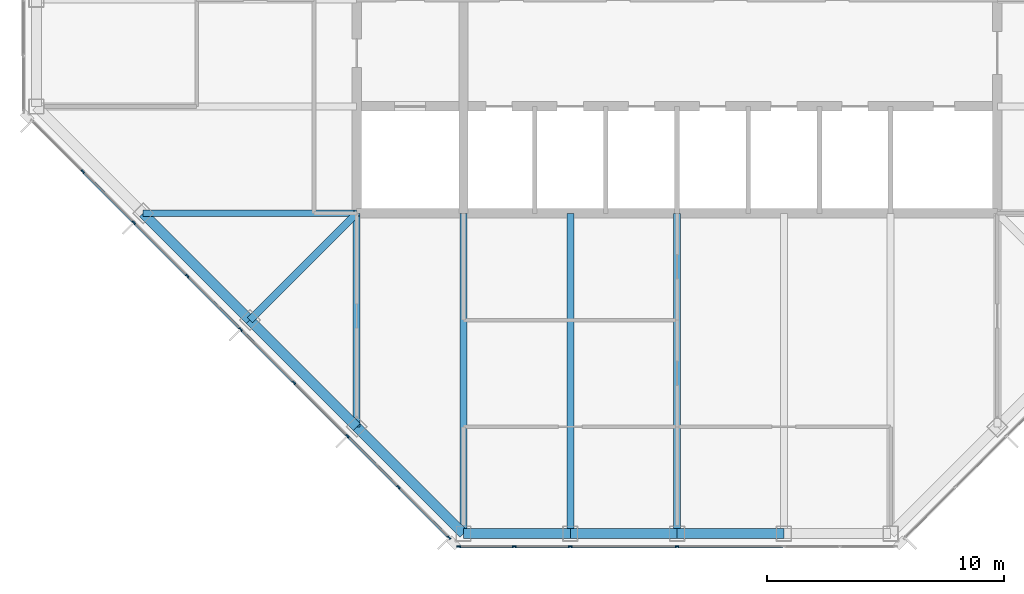
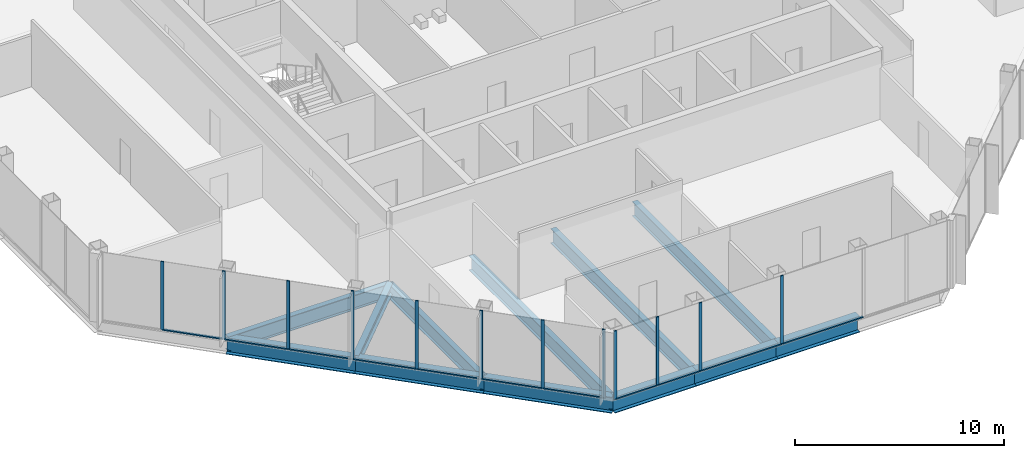
# One storey, part 2 of 13: 23 members, 12 beams, 2 elements without a shape of their own.
"""IFC4 building model written with IfcOpenShell, lengths in metres."""

from ifc_helpers import new_model, si_unit, direction, frame, origin, origin_2d, place, context, subcontext, project, spatial, rectangle, i_section, extrude, material, material_profile, profile_set, type_object, element, aggregate, save


model = new_model("IFC4")

# Units and contexts
model_context = context("Model", 3, precision=1e-05, world=origin(), true_north=direction((0.0, 1.0)))
body_context = subcontext(model_context, "Body", "Model", "MODEL_VIEW")
ifc_project = project(units=[si_unit("LENGTHUNIT", "METRE"), si_unit("AREAUNIT", "SQUARE_METRE"), si_unit("VOLUMEUNIT", "CUBIC_METRE"), si_unit("PLANEANGLEUNIT", "RADIAN"), si_unit("MASSUNIT", "GRAM", prefix="KILO")], contexts=[model_context])

# Site, building, storey
site_placement = place(None, origin())
site = spatial("IfcSite", under=ifc_project, at=site_placement, CompositionType="ELEMENT")
building_placement = place(site_placement, origin())
building = spatial("IfcBuilding", under=site, at=building_placement, Name="Corais Broadcast Tower", CompositionType="ELEMENT")
storey_placement = place(building_placement, frame((0.0, 0.0, 210.60009765625)))
storey = spatial("IfcBuildingStorey", under=building, at=storey_placement, Name="L48", CompositionType="ELEMENT", Elevation=210.60009765625)

# Beams
ifc_material_1 = material(Name="Steel ASTM A572 Grade 50", Category="steel")
ifc_material_profile_1 = material_profile(ifc_material_1, i_section(OverallWidth=0.323974609375, OverallDepth=0.611083984375, WebThickness=0.0126953125, FlangeThickness=0.01904296875, at=origin_2d()), Name="W610x155")
ifc_profile_set_1 = profile_set([ifc_material_profile_1], Name="Steel ASTM A572 Grade 50")
beam_type_1 = type_object("IfcBeamType", Name="Corner diagonal W610x155", PredefinedType="BEAM", material=ifc_profile_set_1)
beam_1_placement = place(storey_placement, frame((9.0, 9.0, -0.465576171875), z_axis=(0.707106781187, 0.707106781187, 0.0), x_axis=(-0.707106781187, 0.707106781187, 0.0)))
element("IfcBeam", 1, at=beam_1_placement, inside=storey, type_object=beam_type_1, Name="B6 C/5 to D/6", PredefinedType="BEAM", context=body_context, shape_type="SweptSolid", body=[
    extrude(i_section(OverallWidth=0.323974609375, OverallDepth=0.611083984375, WebThickness=0.0126953125, FlangeThickness=0.01904296875, at=origin_2d()), origin(), (0.0, 0.0, 1.0), 6.364013671875),
])
ifc_material_2 = material(Name="Steel ASTM A572 Grade 50", Category="steel")
ifc_material_profile_2 = material_profile(ifc_material_2, i_section(OverallWidth=0.2939453125, OverallDepth=0.85107421875, WebThickness=0.01611328125, FlangeThickness=0.02685546875, at=origin_2d()), Name="W840x226")
ifc_profile_set_2 = profile_set([ifc_material_profile_2], Name="Steel ASTM A572 Grade 50")
beam_type_2 = type_object("IfcBeamType", Name="Floor beam W840x226", PredefinedType="BEAM", material=ifc_profile_set_2)
beam_2_placement = place(storey_placement, frame((13.5, 4.5, -0.585693359375), z_axis=(0.0, 1.0, 0.0), x_axis=(-1.0, 0.0, 0.0)))
element("IfcBeam", 2, at=beam_2_placement, inside=storey, type_object=beam_type_2, Name="B1 B/6 to D/6", PredefinedType="BEAM", context=body_context, shape_type="SweptSolid", body=[
    extrude(i_section(OverallWidth=0.2939453125, OverallDepth=0.85107421875, WebThickness=0.01611328125, FlangeThickness=0.02685546875, at=origin_2d()), origin(), (0.0, 0.0, 1.0), 9.0),
])
for number, where, z_axis, x_axis, name in (
    (3, (18.0, 0.0, -0.585693359375), (0.0, 1.0, 0.0), (-1.0, 0.0, 0.0), "B1 A/7 to D/7"),
    (4, (22.5, 0.0, -0.585693359375), (0.0, 1.0, 0.0), (-1.0, 0.0, 0.0), "B1 A/8 to D/8"),
    (5, (27.0, 0.0, -0.585693359375), (0.0, 1.0, 0.0), (-1.0, 0.0, 0.0), "B1 A/9 to D/9"),
):
    element("IfcBeam", number, at=place(storey_placement, frame(where, z_axis=z_axis, x_axis=x_axis)), inside=storey, type_object=beam_type_2, Name=name, PredefinedType="BEAM", context=body_context, shape_type="SweptSolid", body=[
        extrude(i_section(OverallWidth=0.2939453125, OverallDepth=0.85107421875, WebThickness=0.01611328125, FlangeThickness=0.02685546875, at=origin_2d()), origin(), (0.0, 0.0, 1.0), 13.5),
    ])
beam_3_placement = place(storey_placement, frame((4.5, 13.5, -0.585693359375), z_axis=(1.0, 0.0, 0.0), x_axis=(0.0, 1.0, 0.0)))
element("IfcBeam", 6, at=beam_3_placement, inside=storey, type_object=beam_type_2, Name="B1 D/4 to D/6", PredefinedType="BEAM", context=body_context, shape_type="SweptSolid", body=[
    extrude(i_section(OverallWidth=0.2939453125, OverallDepth=0.85107421875, WebThickness=0.01611328125, FlangeThickness=0.02685546875, at=origin_2d()), origin(), (0.0, 0.0, 1.0), 9.0),
])

# Curtain wall, members
ifc_material_3 = material(Name="Aluminium and glass", Category="aluminium")
curtain_wall_type = type_object("IfcCurtainWallType", Name="Unitised fritted curtain wall CW3", PredefinedType="NOTDEFINED", material=ifc_material_3)
curtain_wall_1_placement = place(storey_placement, origin())
curtain_wall_1 = element("IfcCurtainWall", 7, at=curtain_wall_1_placement, inside=storey, type_object=curtain_wall_type, Name="CW3 curtain wall L48 1", PredefinedType="NOTDEFINED")
ifc_material_4 = material(Name="Aluminium 6063-T6", Category="aluminium")
ifc_material_profile_3 = material_profile(ifc_material_4, rectangle(XDim=0.06494140625, YDim=0.159912109375, at=origin_2d()), Name="Mullion CW3 65x160")
ifc_profile_set_3 = profile_set([ifc_material_profile_3], Name="Aluminium 6063-T6")
member_type_1 = type_object("IfcMemberType", Name="Mullion CW3 65x160", PredefinedType="MULLION", material=ifc_profile_set_3)
member_1_placement = place(storey_placement, frame((17.3955078125, -0.17333984375, 0.0), z_axis=(0.0, 0.0, 1.0), x_axis=(-0.707106781187, -0.707106781187, 0.0)))
member_1 = element("IfcMember", 8, at=member_1_placement, type_object=member_type_1, Name="CW3 mullion 1", PredefinedType="MULLION", context=body_context, shape_type="SweptSolid", body=[
    extrude(rectangle(XDim=0.06494140625, YDim=0.159912109375, at=origin_2d()), origin(), (0.0, 0.0, 1.0), 4.0),
])
member_2_placement = place(storey_placement, frame((15.264892578125, 1.957275390625, 0.0), z_axis=(0.0, 0.0, 1.0), x_axis=(-0.707106781187, -0.707106781187, 0.0)))
member_2 = element("IfcMember", 9, at=member_2_placement, type_object=member_type_1, Name="CW3 mullion 2", PredefinedType="MULLION", context=body_context, shape_type="SweptSolid", body=[
    extrude(rectangle(XDim=0.06494140625, YDim=0.159912109375, at=origin_2d()), origin(), (0.0, 0.0, 1.0), 4.0),
])
member_3_placement = place(storey_placement, frame((13.111083984375, 4.111083984375, 0.0), z_axis=(0.0, 0.0, 1.0), x_axis=(-0.707106781187, -0.707106781187, 0.0)))
member_3 = element("IfcMember", 10, at=member_3_placement, type_object=member_type_1, Name="CW3 mullion 3", PredefinedType="MULLION", context=body_context, shape_type="SweptSolid", body=[
    extrude(rectangle(XDim=0.06494140625, YDim=0.159912109375, at=origin_2d()), origin(), (0.0, 0.0, 1.0), 4.0),
])
member_4_placement = place(storey_placement, frame((10.861083984375, 6.361083984375, 0.0), z_axis=(0.0, 0.0, 1.0), x_axis=(-0.707106781187, -0.707106781187, 0.0)))
member_4 = element("IfcMember", 11, at=member_4_placement, type_object=member_type_1, Name="CW3 mullion 4", PredefinedType="MULLION", context=body_context, shape_type="SweptSolid", body=[
    extrude(rectangle(XDim=0.06494140625, YDim=0.159912109375, at=origin_2d()), origin(), (0.0, 0.0, 1.0), 4.0),
])
member_5_placement = place(storey_placement, frame((8.611083984375, 8.611083984375, 0.0), z_axis=(0.0, 0.0, 1.0), x_axis=(-0.707106781187, -0.707106781187, 0.0)))
member_5 = element("IfcMember", 12, at=member_5_placement, type_object=member_type_1, Name="CW3 mullion 5", PredefinedType="MULLION", context=body_context, shape_type="SweptSolid", body=[
    extrude(rectangle(XDim=0.06494140625, YDim=0.159912109375, at=origin_2d()), origin(), (0.0, 0.0, 1.0), 4.0),
])
member_6_placement = place(storey_placement, frame((6.361083984375, 10.861083984375, 0.0), z_axis=(0.0, 0.0, 1.0), x_axis=(-0.707106781187, -0.707106781187, 0.0)))
member_6 = element("IfcMember", 13, at=member_6_placement, type_object=member_type_1, Name="CW3 mullion 6", PredefinedType="MULLION", context=body_context, shape_type="SweptSolid", body=[
    extrude(rectangle(XDim=0.06494140625, YDim=0.159912109375, at=origin_2d()), origin(), (0.0, 0.0, 1.0), 4.0),
])
member_7_placement = place(storey_placement, frame((4.111083984375, 13.111083984375, 0.0), z_axis=(0.0, 0.0, 1.0), x_axis=(-0.707106781187, -0.707106781187, 0.0)))
member_7 = element("IfcMember", 14, at=member_7_placement, type_object=member_type_1, Name="CW3 mullion 7", PredefinedType="MULLION", context=body_context, shape_type="SweptSolid", body=[
    extrude(rectangle(XDim=0.06494140625, YDim=0.159912109375, at=origin_2d()), origin(), (0.0, 0.0, 1.0), 4.0),
])
member_8_placement = place(storey_placement, frame((1.957275390625, 15.264892578125, 0.0), z_axis=(0.0, 0.0, 1.0), x_axis=(-0.707106781187, -0.707106781187, 0.0)))
member_8 = element("IfcMember", 15, at=member_8_placement, type_object=member_type_1, Name="CW3 mullion 8", PredefinedType="MULLION", context=body_context, shape_type="SweptSolid", body=[
    extrude(rectangle(XDim=0.06494140625, YDim=0.159912109375, at=origin_2d()), origin(), (0.0, 0.0, 1.0), 4.0),
])

curtain_wall_2_placement = place(storey_placement, origin())
curtain_wall_2 = element("IfcCurtainWall", 16, at=curtain_wall_2_placement, inside=storey, type_object=curtain_wall_type, Name="CW3 curtain wall L48 8", PredefinedType="NOTDEFINED")
member_9_placement = place(storey_placement, frame((27.0, -0.550048828125, 0.0), z_axis=(0.0, 0.0, 1.0), x_axis=(0.0, -1.0, 0.0)))
member_9 = element("IfcMember", 17, at=member_9_placement, type_object=member_type_1, Name="CW3 mullion 4", PredefinedType="MULLION", context=body_context, shape_type="SweptSolid", body=[
    extrude(rectangle(XDim=0.06494140625, YDim=0.159912109375, at=origin_2d()), origin(), (0.0, 0.0, 1.0), 4.0),
])
member_10_placement = place(storey_placement, frame((22.5, -0.550048828125, 0.0), z_axis=(0.0, 0.0, 1.0), x_axis=(0.0, -1.0, 0.0)))
member_10 = element("IfcMember", 18, at=member_10_placement, type_object=member_type_1, Name="CW3 mullion 5", PredefinedType="MULLION", context=body_context, shape_type="SweptSolid", body=[
    extrude(rectangle(XDim=0.06494140625, YDim=0.159912109375, at=origin_2d()), origin(), (0.0, 0.0, 1.0), 4.0),
])
member_11_placement = place(storey_placement, frame((20.135986328125, -0.550048828125, 0.0), z_axis=(0.0, 0.0, 1.0), x_axis=(0.0, -1.0, 0.0)))
member_11 = element("IfcMember", 19, at=member_11_placement, type_object=member_type_1, Name="CW3 mullion 6", PredefinedType="MULLION", context=body_context, shape_type="SweptSolid", body=[
    extrude(rectangle(XDim=0.06494140625, YDim=0.159912109375, at=origin_2d()), origin(), (0.0, 0.0, 1.0), 4.0),
])
member_12_placement = place(storey_placement, frame((17.8046875, -0.550048828125, 0.0), z_axis=(0.0, 0.0, 1.0), x_axis=(0.0, -1.0, 0.0)))
member_12 = element("IfcMember", 20, at=member_12_placement, type_object=member_type_1, Name="CW3 mullion 7", PredefinedType="MULLION", context=body_context, shape_type="SweptSolid", body=[
    extrude(rectangle(XDim=0.06494140625, YDim=0.159912109375, at=origin_2d()), origin(), (0.0, 0.0, 1.0), 4.0),
])

# Beams
ifc_material_5 = material(Name="Steel ASTM A572 Grade 50", Category="steel")
ifc_material_profile_4 = material_profile(ifc_material_5, i_section(OverallWidth=0.4189453125, OverallDepth=0.94189453125, WebThickness=0.022216796875, FlangeThickness=0.03662109375, at=origin_2d()), Name="W920x345")
ifc_profile_set_4 = profile_set([ifc_material_profile_4], Name="Steel ASTM A572 Grade 50")
beam_type_3 = type_object("IfcBeamType", Name="Transfer spandrel W920x345", PredefinedType="BEAM", material=ifc_profile_set_4)
beam_4_placement = place(storey_placement, frame((13.5, 4.5, -0.631103515625), z_axis=(0.707106781187, -0.707106781187, 0.0), x_axis=(0.707106781187, 0.707106781187, 0.0)))
element("IfcBeam", 21, at=beam_4_placement, inside=storey, type_object=beam_type_3, Name="SB4 B/6 to A/7", PredefinedType="BEAM", context=body_context, shape_type="SweptSolid", body=[
    extrude(i_section(OverallWidth=0.4189453125, OverallDepth=0.94189453125, WebThickness=0.022216796875, FlangeThickness=0.03662109375, at=origin_2d()), origin(), (0.0, 0.0, 1.0), 6.364013671875),
])
for number, where, z_axis, x_axis, name in (
    (22, (18.0, 0.0, -0.631103515625), (1.0, 0.0, 0.0), (0.0, 1.0, 0.0), "SB4 A/7 to A/8"),
    (23, (22.5, 0.0, -0.631103515625), (1.0, 0.0, 0.0), (0.0, 1.0, 0.0), "SB4 A/8 to A/9"),
    (24, (27.0, 0.0, -0.631103515625), (1.0, 0.0, 0.0), (0.0, 1.0, 0.0), "SB4 A/9 to A/10"),
):
    element("IfcBeam", number, at=place(storey_placement, frame(where, z_axis=z_axis, x_axis=x_axis)), inside=storey, type_object=beam_type_3, Name=name, PredefinedType="BEAM", context=body_context, shape_type="SweptSolid", body=[
        extrude(i_section(OverallWidth=0.4189453125, OverallDepth=0.94189453125, WebThickness=0.022216796875, FlangeThickness=0.03662109375, at=origin_2d()), origin(), (0.0, 0.0, 1.0), 4.5),
    ])
for number, where, z_axis, x_axis, name in (
    (25, (4.5, 13.5, -0.631103515625), (0.707106781187, -0.707106781187, 0.0), (0.707106781187, 0.707106781187, 0.0), "SB4 D/4 to C/5"),
    (26, (9.0, 9.0, -0.631103515625), (0.707106781187, -0.707106781187, 0.0), (0.707106781187, 0.707106781187, 0.0), "SB4 C/5 to B/6"),
):
    element("IfcBeam", number, at=place(storey_placement, frame(where, z_axis=z_axis, x_axis=x_axis)), inside=storey, type_object=beam_type_3, Name=name, PredefinedType="BEAM", context=body_context, shape_type="SweptSolid", body=[
        extrude(i_section(OverallWidth=0.4189453125, OverallDepth=0.94189453125, WebThickness=0.022216796875, FlangeThickness=0.03662109375, at=origin_2d()), origin(), (0.0, 0.0, 1.0), 6.364013671875),
    ])

# Member
ifc_material_6 = material(Name="Aluminium 6063-T6", Category="aluminium")
ifc_material_profile_5 = material_profile(ifc_material_6, rectangle(XDim=0.1201171875, YDim=0.06494140625, at=origin_2d()), Name="Transom CW3 65x120")
ifc_profile_set_5 = profile_set([ifc_material_profile_5], Name="Aluminium 6063-T6")
member_type_2 = type_object("IfcMemberType", Name="Transom CW3 65x120", PredefinedType="USERDEFINED", material=ifc_profile_set_5)
member_13_placement = place(storey_placement, frame((17.37255859375, -0.150390625, 0.032470703125), z_axis=(-0.707106781187, 0.707106781187, 0.0), x_axis=(-0.707106781187, -0.707106781187, 0.0)))
member_13 = element("IfcMember", 27, at=member_13_placement, type_object=member_type_2, Name="CW3 transom 1.1", ObjectType="TRANSOM", PredefinedType="USERDEFINED", context=body_context, shape_type="SweptSolid", body=[
    extrude(rectangle(XDim=0.1201171875, YDim=0.06494140625, at=origin_2d()), origin(), (0.0, 0.0, 1.0), 2.9482421875),
])

member_14_placement = place(storey_placement, frame((15.241943359375, 1.980224609375, 0.032470703125), z_axis=(-0.707106781187, 0.707106781187, 0.0), x_axis=(-0.707106781187, -0.707106781187, 0.0)))
member_14 = element("IfcMember", 28, at=member_14_placement, type_object=member_type_2, Name="CW3 transom 2.1", ObjectType="TRANSOM", PredefinedType="USERDEFINED", context=body_context, shape_type="SweptSolid", body=[
    extrude(rectangle(XDim=0.1201171875, YDim=0.06494140625, at=origin_2d()), origin(), (0.0, 0.0, 1.0), 2.98095703125),
])

member_15_placement = place(storey_placement, frame((13.088134765625, 4.134033203125, 0.032470703125), z_axis=(-0.707106781187, 0.707106781187, 0.0), x_axis=(-0.707106781187, -0.707106781187, 0.0)))
member_15 = element("IfcMember", 29, at=member_15_placement, type_object=member_type_2, Name="CW3 transom 3.1", ObjectType="TRANSOM", PredefinedType="USERDEFINED", context=body_context, shape_type="SweptSolid", body=[
    extrude(rectangle(XDim=0.1201171875, YDim=0.06494140625, at=origin_2d()), origin(), (0.0, 0.0, 1.0), 3.1171875),
])

member_16_placement = place(storey_placement, frame((10.838134765625, 6.384033203125, 0.032470703125), z_axis=(-0.707106781187, 0.707106781187, 0.0), x_axis=(-0.707106781187, -0.707106781187, 0.0)))
member_16 = element("IfcMember", 30, at=member_16_placement, type_object=member_type_2, Name="CW3 transom 4.1", ObjectType="TRANSOM", PredefinedType="USERDEFINED", context=body_context, shape_type="SweptSolid", body=[
    extrude(rectangle(XDim=0.1201171875, YDim=0.06494140625, at=origin_2d()), origin(), (0.0, 0.0, 1.0), 3.1171875),
])

member_17_placement = place(storey_placement, frame((8.588134765625, 8.634033203125, 0.032470703125), z_axis=(-0.707106781187, 0.707106781187, 0.0), x_axis=(-0.707106781187, -0.707106781187, 0.0)))
member_17 = element("IfcMember", 31, at=member_17_placement, type_object=member_type_2, Name="CW3 transom 5.1", ObjectType="TRANSOM", PredefinedType="USERDEFINED", context=body_context, shape_type="SweptSolid", body=[
    extrude(rectangle(XDim=0.1201171875, YDim=0.06494140625, at=origin_2d()), origin(), (0.0, 0.0, 1.0), 3.1171875),
])

member_18_placement = place(storey_placement, frame((6.338134765625, 10.884033203125, 0.032470703125), z_axis=(-0.707106781187, 0.707106781187, 0.0), x_axis=(-0.707106781187, -0.707106781187, 0.0)))
member_18 = element("IfcMember", 32, at=member_18_placement, type_object=member_type_2, Name="CW3 transom 6.1", ObjectType="TRANSOM", PredefinedType="USERDEFINED", context=body_context, shape_type="SweptSolid", body=[
    extrude(rectangle(XDim=0.1201171875, YDim=0.06494140625, at=origin_2d()), origin(), (0.0, 0.0, 1.0), 3.1171875),
])

member_19_placement = place(storey_placement, frame((4.088134765625, 13.134033203125, 0.032470703125), z_axis=(-0.707065828661, 0.70714773134, 0.0), x_axis=(-0.70714773134, -0.707065828661, 0.0)))
member_19 = element("IfcMember", 33, at=member_19_placement, type_object=member_type_2, Name="CW3 transom 7.1", ObjectType="TRANSOM", PredefinedType="USERDEFINED", context=body_context, shape_type="SweptSolid", body=[
    extrude(rectangle(XDim=0.1201171875, YDim=0.06494140625, at=origin_2d()), origin(), (0.0, 0.0, 1.0), 2.98095703125),
])

aggregate(curtain_wall_1, [member_1, member_2, member_3, member_4, member_5, member_6, member_7, member_8, member_13, member_14, member_15, member_16, member_17, member_18, member_19])

member_20_placement = place(storey_placement, frame((31.467529296875, -0.550048828125, 0.032470703125), z_axis=(-1.0, 0.0, 0.0), x_axis=(0.0, -1.0, 0.0)))
member_20 = element("IfcMember", 34, at=member_20_placement, type_object=member_type_2, Name="CW3 transom 3.1", ObjectType="TRANSOM", PredefinedType="USERDEFINED", context=body_context, shape_type="SweptSolid", body=[
    extrude(rectangle(XDim=0.1201171875, YDim=0.06494140625, at=origin_2d()), origin(), (0.0, 0.0, 1.0), 4.43505859375),
])

member_21_placement = place(storey_placement, frame((26.967529296875, -0.550048828125, 0.032470703125), z_axis=(-1.0, 0.0, 0.0), x_axis=(0.0, -1.0, 0.0)))
member_21 = element("IfcMember", 35, at=member_21_placement, type_object=member_type_2, Name="CW3 transom 4.1", ObjectType="TRANSOM", PredefinedType="USERDEFINED", context=body_context, shape_type="SweptSolid", body=[
    extrude(rectangle(XDim=0.1201171875, YDim=0.06494140625, at=origin_2d()), origin(), (0.0, 0.0, 1.0), 4.43505859375),
])

member_22_placement = place(storey_placement, frame((22.467529296875, -0.550048828125, 0.032470703125), z_axis=(-1.0, 0.0, 0.0), x_axis=(0.0, -1.0, 0.0)))
member_22 = element("IfcMember", 36, at=member_22_placement, type_object=member_type_2, Name="CW3 transom 5.1", ObjectType="TRANSOM", PredefinedType="USERDEFINED", context=body_context, shape_type="SweptSolid", body=[
    extrude(rectangle(XDim=0.1201171875, YDim=0.06494140625, at=origin_2d()), origin(), (0.0, 0.0, 1.0), 2.298828125),
])

member_23_placement = place(storey_placement, frame((20.103515625, -0.550048828125, 0.032470703125), z_axis=(-1.0, 0.0, 0.0), x_axis=(0.0, -1.0, 0.0)))
member_23 = element("IfcMember", 37, at=member_23_placement, type_object=member_type_2, Name="CW3 transom 6.1", ObjectType="TRANSOM", PredefinedType="USERDEFINED", context=body_context, shape_type="SweptSolid", body=[
    extrude(rectangle(XDim=0.1201171875, YDim=0.06494140625, at=origin_2d()), origin(), (0.0, 0.0, 1.0), 2.266357421875),
])

aggregate(curtain_wall_2, [member_9, member_10, member_11, member_12, member_20, member_21, member_22, member_23])

save(model, "model.ifc")
